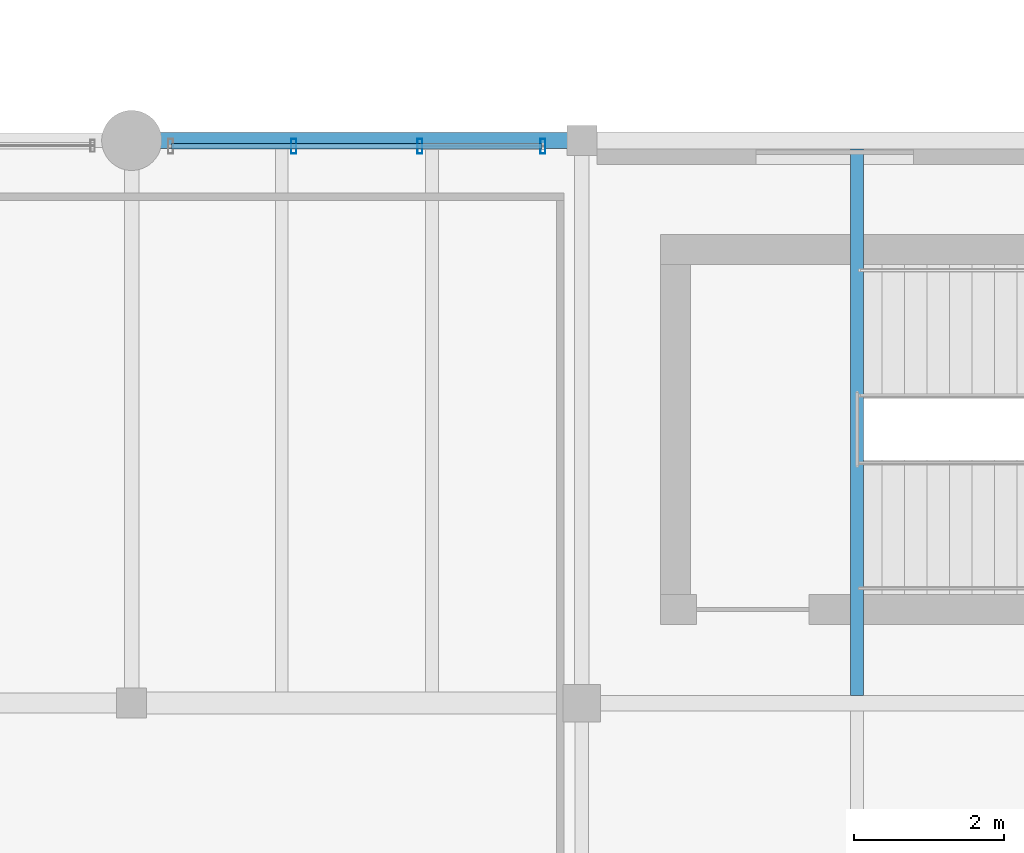
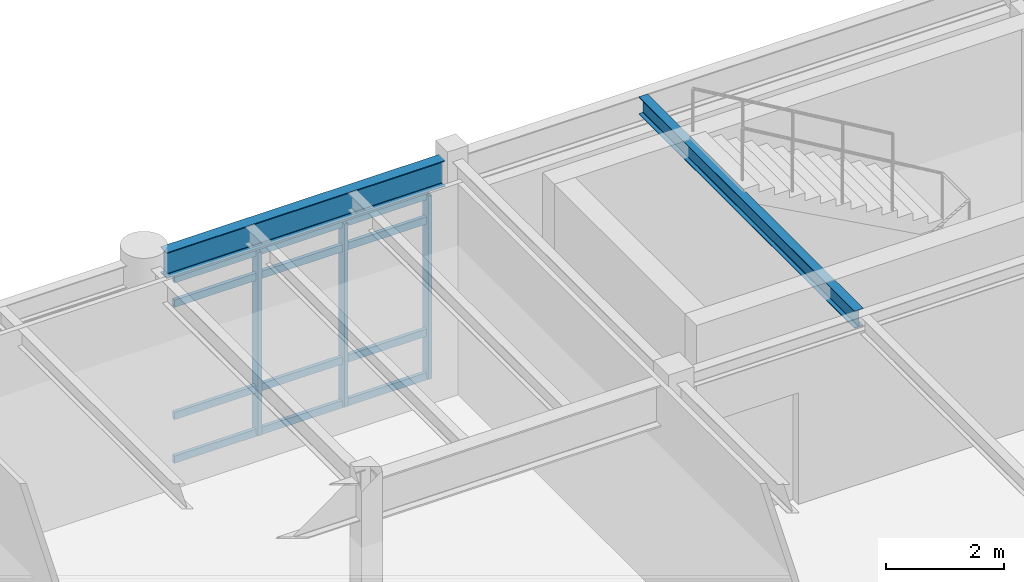
# One storey, part 110 of 168: 7 members, 2 beams, 1 element without a shape of its own.
"""IFC4 building model written with IfcOpenShell, lengths in metres."""

from ifc_helpers import new_model, si_unit, direction, frame, origin, origin_2d, place, context, subcontext, project, spatial, hollow_rectangle, i_section, extrude, material, material_profile, profile_set, type_object, element, aggregate, save


model = new_model("IFC4")

# Units and contexts
model_context = context("Model", 3, precision=1e-05, world=origin(), true_north=direction((0.0, 1.0)))
body_context = subcontext(model_context, "Body", "Model", "MODEL_VIEW")
ifc_project = project(units=[si_unit("LENGTHUNIT", "METRE"), si_unit("AREAUNIT", "SQUARE_METRE"), si_unit("VOLUMEUNIT", "CUBIC_METRE"), si_unit("PLANEANGLEUNIT", "RADIAN"), si_unit("MASSUNIT", "GRAM", prefix="KILO"), si_unit("THERMODYNAMICTEMPERATUREUNIT", "KELVIN"), si_unit("POWERUNIT", "WATT")], contexts=[model_context])

# Site, building, storey
site_placement = place(None, origin())
site = spatial("IfcSite", under=ifc_project, at=site_placement, CompositionType="ELEMENT")
building_placement = place(site_placement, origin())
building = spatial("IfcBuilding", under=site, at=building_placement, Name="Tepalcoro Natatorium and Aquatics Centre", CompositionType="ELEMENT")
storey_placement = place(building_placement, frame((0.0, 0.0, 10.199951171875)))
storey = spatial("IfcBuildingStorey", under=building, at=storey_placement, Name="L02", CompositionType="ELEMENT", Elevation=10.199951171875)

# Curtain wall, members
ifc_material_1 = material(Name="Bronze-Anodised Extruded Aluminium Alloy EN AW-6063 T6", Category="aluminium")
curtain_wall_type = type_object("IfcCurtainWallType", Name="CW_LEAN_T2_NS", PredefinedType="USERDEFINED", material=ifc_material_1)
curtain_wall_placement = place(storey_placement, origin())
curtain_wall = element("IfcCurtainWall", 1, at=curtain_wall_placement, inside=storey, type_object=curtain_wall_type, Name="V2 L02 N Unitised Curtain Wall Bay 3", ObjectType="FACETED SOLAR GLAZING", PredefinedType="USERDEFINED")
ifc_material_profile_1 = material_profile(ifc_material_1, hollow_rectangle(XDim=0.070068359375, YDim=0.199951171875, WallThickness=0.0048828125, at=origin_2d()), Name="AL70X200X5")
ifc_profile_set_1 = profile_set([ifc_material_profile_1], Name="Bronze-Anodised Extruded Aluminium Alloy EN AW-6063 T6")
member_type_1 = type_object("IfcMemberType", Name="CW_MUL_70x200", PredefinedType="MULLION", material=ifc_profile_set_1)
member_1_placement = place(storey_placement, frame((161.159912109375, 58.923828125, 0.02001953125), z_axis=(0.0, 0.0, 1.0), x_axis=(1.0, 0.0, 0.0)))
member_1 = element("IfcMember", 2, at=member_1_placement, type_object=member_type_1, Name="CW_LEAN_T2_NS Curtain Wall Mullion", PredefinedType="MULLION", context=body_context, shape_type="SweptSolid", body=[
    extrude(hollow_rectangle(XDim=0.070068359375, YDim=0.199951171875, WallThickness=0.0048828125, at=origin_2d()), origin(), (0.0, 0.0, 1.0), 3.77392578125),
])
member_2_placement = place(storey_placement, frame((162.840087890625, 58.923828125, 0.02001953125), z_axis=(0.0, 0.0, 1.0), x_axis=(1.0, 0.0, 0.0)))
member_2 = element("IfcMember", 3, at=member_2_placement, type_object=member_type_1, Name="CW_LEAN_T2_NS Curtain Wall Mullion", PredefinedType="MULLION", context=body_context, shape_type="SweptSolid", body=[
    extrude(hollow_rectangle(XDim=0.070068359375, YDim=0.199951171875, WallThickness=0.0048828125, at=origin_2d()), origin(), (0.0, 0.0, 1.0), 3.77392578125),
])
member_3_placement = place(storey_placement, frame((164.47998046875, 58.923828125, 0.02001953125), z_axis=(0.0, 0.0, 1.0), x_axis=(1.0, 0.0, 0.0)))
member_3 = element("IfcMember", 4, at=member_3_placement, type_object=member_type_1, Name="CW_LEAN_T2_NS Curtain Wall Mullion", PredefinedType="MULLION", context=body_context, shape_type="SweptSolid", body=[
    extrude(hollow_rectangle(XDim=0.070068359375, YDim=0.199951171875, WallThickness=0.0048828125, at=origin_2d()), origin(), (0.0, 0.0, 1.0), 3.77392578125),
])
ifc_material_profile_2 = material_profile(ifc_material_1, hollow_rectangle(XDim=0.070068359375, YDim=0.14990234375, WallThickness=0.00390625, at=origin_2d()), Name="AL70X150X4")
ifc_profile_set_2 = profile_set([ifc_material_profile_2], Name="Bronze-Anodised Extruded Aluminium Alloy EN AW-6063 T6")
member_type_2 = type_object("IfcMemberType", Name="CW_TRN_70x150", PredefinedType="USERDEFINED", material=ifc_profile_set_2)
member_4_placement = place(storey_placement, frame((159.530029296875, 58.923828125, 0.050048828125), z_axis=(1.0, 0.0, 0.0), x_axis=(0.0, 1.0, 0.0)))
member_4 = element("IfcMember", 5, at=member_4_placement, type_object=member_type_2, Name="CW_LEAN_T2_NS Curtain Wall Transom", ObjectType="TRANSOM", PredefinedType="USERDEFINED", context=body_context, shape_type="SweptSolid", body=[
    extrude(hollow_rectangle(XDim=0.070068359375, YDim=0.14990234375, WallThickness=0.00390625, at=origin_2d()), origin(), (0.0, 0.0, 1.0), 4.93994140625),
])
member_5_placement = place(storey_placement, frame((159.530029296875, 58.923828125, 0.949951171875), z_axis=(1.0, 0.0, 0.0), x_axis=(0.0, 1.0, 0.0)))
member_5 = element("IfcMember", 6, at=member_5_placement, type_object=member_type_2, Name="CW_LEAN_T2_NS Curtain Wall Transom", ObjectType="TRANSOM", PredefinedType="USERDEFINED", context=body_context, shape_type="SweptSolid", body=[
    extrude(hollow_rectangle(XDim=0.070068359375, YDim=0.14990234375, WallThickness=0.00390625, at=origin_2d()), origin(), (0.0, 0.0, 1.0), 4.93994140625),
])
member_6_placement = place(storey_placement, frame((159.530029296875, 58.923828125, 3.26416015625), z_axis=(1.0, 0.0, 0.0), x_axis=(0.0, 1.0, 0.0)))
member_6 = element("IfcMember", 7, at=member_6_placement, type_object=member_type_2, Name="CW_LEAN_T2_NS Curtain Wall Transom", ObjectType="TRANSOM", PredefinedType="USERDEFINED", context=body_context, shape_type="SweptSolid", body=[
    extrude(hollow_rectangle(XDim=0.070068359375, YDim=0.14990234375, WallThickness=0.00390625, at=origin_2d()), origin(), (0.0, 0.0, 1.0), 4.93994140625),
])
member_7_placement = place(storey_placement, frame((159.530029296875, 58.923828125, 3.76416015625), z_axis=(1.0, 0.0, 0.0), x_axis=(0.0, 1.0, 0.0)))
member_7 = element("IfcMember", 8, at=member_7_placement, type_object=member_type_2, Name="CW_LEAN_T2_NS Curtain Wall Transom", ObjectType="TRANSOM", PredefinedType="USERDEFINED", context=body_context, shape_type="SweptSolid", body=[
    extrude(hollow_rectangle(XDim=0.070068359375, YDim=0.14990234375, WallThickness=0.00390625, at=origin_2d()), origin(), (0.0, 0.0, 1.0), 4.93994140625),
])
aggregate(curtain_wall, [member_1, member_2, member_3, member_4, member_5, member_6, member_7])

# Beams
ifc_material_2 = material(Name="Steel ASTM A992 Grade 50 (Fy 345 MPa)", Category="steel")
ifc_material_profile_3 = material_profile(ifc_material_2, i_section(OverallWidth=0.172119140625, OverallDepth=0.35791015625, WebThickness=0.008056640625, FlangeThickness=0.012939453125, FilletRadius=0.013916015625, at=origin_2d()), Name="W14X38")
ifc_profile_set_3 = profile_set([ifc_material_profile_3], Name="Steel ASTM A992 Grade 50 (Fy 345 MPa)")
beam_type_1 = type_object("IfcBeamType", Name="JS_W14x38", PredefinedType="JOIST", material=ifc_profile_set_3)
beam_1_placement = place(storey_placement, frame((168.666748046875, 51.6015625, 4.18603515625), z_axis=(0.0, 1.0, 0.0), x_axis=(-1.0, 0.0, 0.0)))
element("IfcBeam", 9, at=beam_1_placement, inside=storey, type_object=beam_type_1, Name="V2 L02 Floor Joist", PredefinedType="JOIST", context=body_context, shape_type="SweptSolid", body=[
    extrude(i_section(OverallWidth=0.172119140625, OverallDepth=0.35791015625, WebThickness=0.008056640625, FlangeThickness=0.012939453125, FilletRadius=0.013916015625, at=origin_2d()), origin(), (0.0, 0.0, 1.0), 7.283935546875),
])
ifc_material_profile_4 = material_profile(ifc_material_2, i_section(OverallWidth=0.2099609375, OverallDepth=0.535888671875, WebThickness=0.010986328125, FlangeThickness=0.01708984375, FilletRadius=0.013916015625, at=origin_2d()), Name="W21X68")
ifc_profile_set_4 = profile_set([ifc_material_profile_4], Name="Steel ASTM A992 Grade 50 (Fy 345 MPa)")
beam_type_2 = type_object("IfcBeamType", Name="SP_W21x68", PredefinedType="SPANDREL", material=ifc_profile_set_4)
beam_2_placement = place(storey_placement, frame((159.385009765625, 59.0, 4.09716796875), z_axis=(1.0, 0.0, 0.0), x_axis=(0.0, 1.0, 0.0)))
element("IfcBeam", 10, at=beam_2_placement, inside=storey, type_object=beam_type_2, Name="V2 L02 Grid Girder X", PredefinedType="SPANDREL", context=body_context, shape_type="SweptSolid", body=[
    extrude(i_section(OverallWidth=0.2099609375, OverallDepth=0.535888671875, WebThickness=0.010986328125, FlangeThickness=0.01708984375, FilletRadius=0.013916015625, at=origin_2d()), origin(), (0.0, 0.0, 1.0), 5.429931640625),
])

save(model, "model.ifc")
